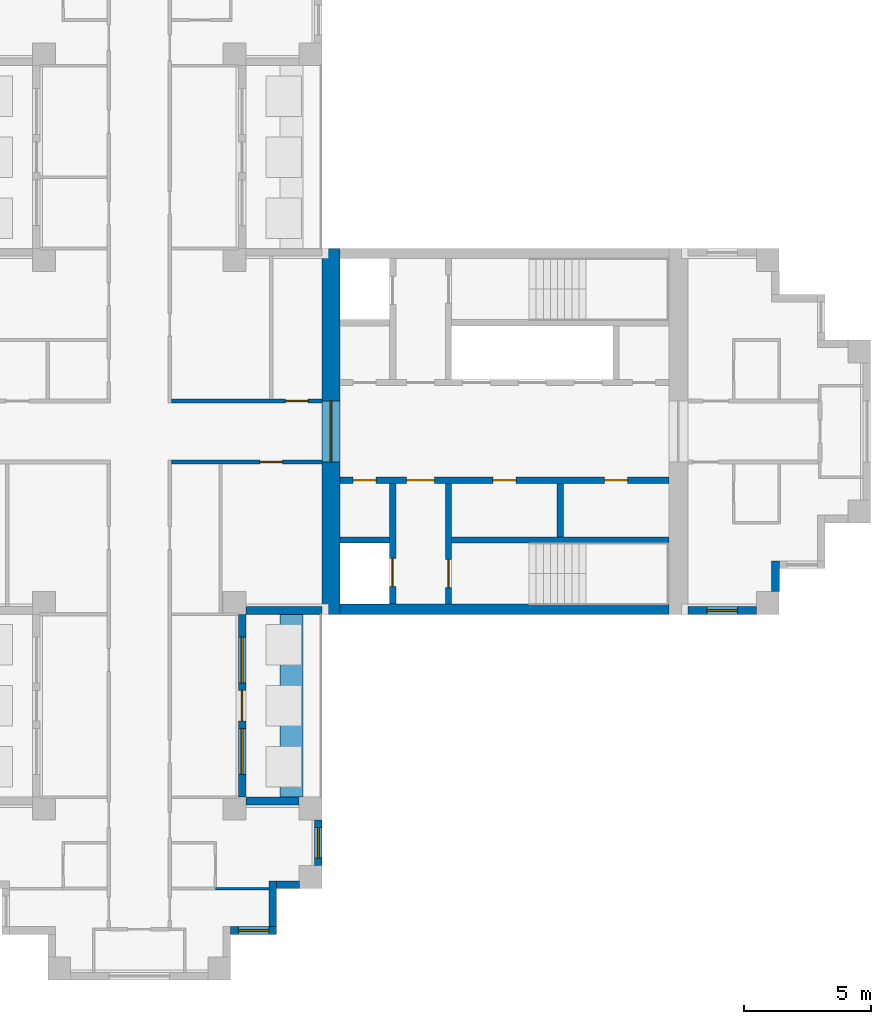
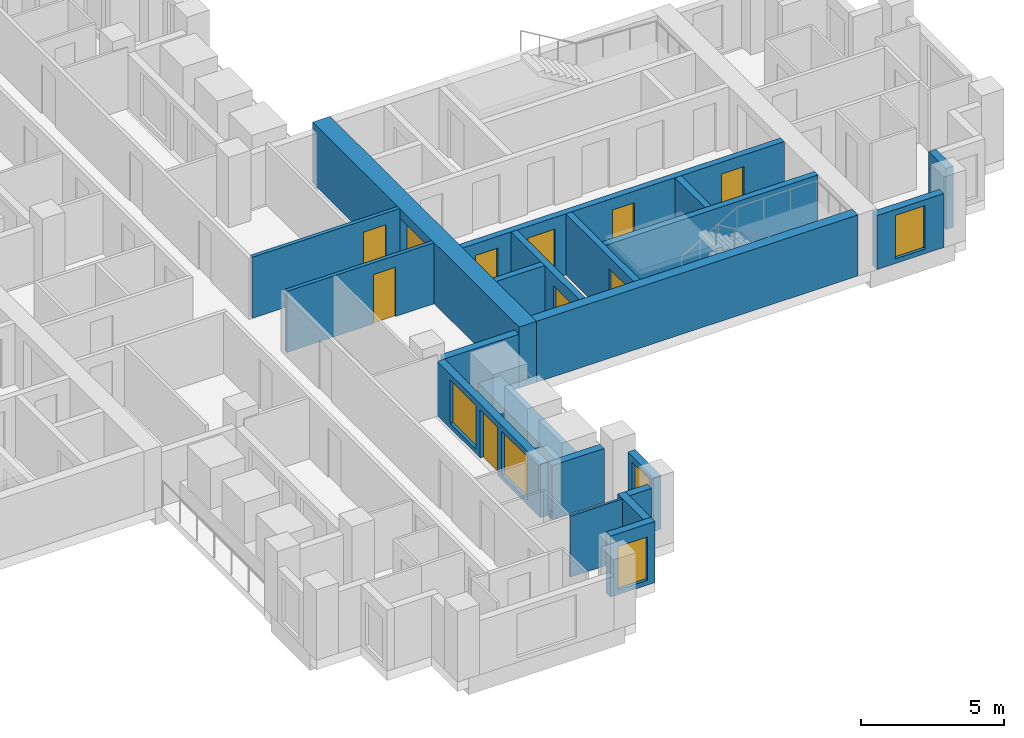
# One storey, part 5 of 10: 21 walls, 10 doors, 5 windows, 15 openings.
"""IFC4 building model written with IfcOpenShell, lengths in metres."""

from ifc_helpers import new_model, si_unit, direction, frame, frame_2d, origin, place, context, subcontext, project, spatial, rectangle, extrude, material, layer, layer_set, type_object, element, fill, save


model = new_model("IFC4")

# Units and contexts
model_context = context("Model", 3, precision=1e-05, world=origin(), true_north=direction((0.0, 1.0)))
body_context = subcontext(model_context, "Body", "Model", "MODEL_VIEW")
ifc_project = project(units=[si_unit("LENGTHUNIT", "METRE"), si_unit("AREAUNIT", "SQUARE_METRE"), si_unit("VOLUMEUNIT", "CUBIC_METRE"), si_unit("PLANEANGLEUNIT", "RADIAN"), si_unit("MASSUNIT", "GRAM", prefix="KILO")], contexts=[model_context])

# Site, building, storey
site_placement = place(None, origin())
site = spatial("IfcSite", under=ifc_project, at=site_placement, CompositionType="ELEMENT")
building_placement = place(site_placement, origin())
building = spatial("IfcBuilding", under=site, at=building_placement, Name="Fustian Cross Tower", CompositionType="ELEMENT")
storey_placement = place(building_placement, frame((0.0, 0.0, 225.89990234375)))
storey = spatial("IfcBuildingStorey", under=building, at=storey_placement, Name="L71", CompositionType="ELEMENT", Elevation=225.89990234375)

# Wall, opening, door
ifc_material_1 = material(Name="Plasterboard on steel stud", Category="steel")
ifc_layer_1 = layer(ifc_material_1, 0.14990234375)
ifc_layer_set_1 = layer_set([ifc_layer_1], Name="Plasterboard on steel stud")
wall_type_1 = type_object("IfcWallType", Name="COMPARTMENT WALL 150 EI 60", PredefinedType="PARTITIONING", material=ifc_layer_set_1)
wall_1_placement = place(storey_placement, frame((1.27490234375, -1.199951171875, 0.0), z_axis=(0.0, 0.0, 1.0), x_axis=(1.0, 0.0, 0.0)))
wall_1 = element("IfcWall", 1, at=wall_1_placement, inside=storey, type_object=wall_type_1, Name="Partition 45", PredefinedType="PARTITIONING", context=body_context, shape_type="SweptSolid", body=[
    extrude(rectangle(XDim=5.925048828125, YDim=0.14990234375, at=frame_2d((2.96240234375, 0.0))), origin(), (0.0, 0.0, 1.0), 2.60009765625),
])
opening_1_placement = place(wall_1_placement, frame((3.47509765625, 0.0, 0.0)))
opening_1 = element("IfcOpeningElement", 2, at=opening_1_placement, cuts=wall_1, Name="Opening D32007", PredefinedType="OPENING", context=body_context, shape_type="SweptSolid", body=[
    extrude(rectangle(XDim=0.89990234375, YDim=2.10009765625, at=frame_2d((0.449951171875, 1.050048828125))), frame((0.0, 0.0849609375, 0.0), z_axis=(0.0, -1.0, 0.0), x_axis=(1.0, 0.0, 0.0)), (0.0, 0.0, 1.0), 0.169921875),
])
ifc_material_2 = material(Name="Timber fire door set", Category="wood")
door_type_1 = type_object("IfcDoorType", Name="FIRE SWING DOOR 900 FD30S", OperationType="SINGLE_SWING_LEFT", PredefinedType="DOOR", material=ifc_material_2)
door_1_placement = place(opening_1_placement, frame((0.89990234375, 0.0, 0.0), z_axis=(0.0, 0.0, 1.0), x_axis=(-1.0, 0.0, 0.0)))
door_1 = element("IfcDoor", 3, at=door_1_placement, inside=storey, type_object=door_type_1, Name="Door D32007", OperationType="SINGLE_SWING_RIGHT", OverallHeight=2.10009765625, OverallWidth=0.89990234375, PredefinedType="DOOR", context=body_context, shape_type="SweptSolid", body=[
    extrude(rectangle(XDim=0.89990234375, YDim=2.10009765625, at=frame_2d((0.449951171875, 1.050048828125))), frame((0.0, 0.02490234375, 0.0), z_axis=(0.0, -1.0, 0.0), x_axis=(1.0, 0.0, 0.0)), (0.0, 0.0, 1.0), 0.050048828125),
])
fill(opening_1, door_1)

wall_2_placement = place(storey_placement, frame((1.27490234375, 1.199951171875, 0.0), z_axis=(0.0, 0.0, 1.0), x_axis=(1.0, 0.0, 0.0)))
wall_2 = element("IfcWall", 4, at=wall_2_placement, inside=storey, type_object=wall_type_1, Name="Partition 47", PredefinedType="PARTITIONING", context=body_context, shape_type="SweptSolid", body=[
    extrude(rectangle(XDim=5.925048828125, YDim=0.14990234375, at=frame_2d((2.96240234375, 0.0))), origin(), (0.0, 0.0, 1.0), 2.60009765625),
])
opening_2_placement = place(wall_2_placement, frame((4.47509765625, 0.0, 0.0)))
opening_2 = element("IfcOpeningElement", 5, at=opening_2_placement, cuts=wall_2, Name="Opening D32002", PredefinedType="OPENING", context=body_context, shape_type="SweptSolid", body=[
    extrude(rectangle(XDim=0.89990234375, YDim=2.10009765625, at=frame_2d((0.449951171875, 1.050048828125))), frame((0.0, 0.0849609375, 0.0), z_axis=(0.0, -1.0, 0.0), x_axis=(1.0, 0.0, 0.0)), (0.0, 0.0, 1.0), 0.169921875),
])
door_2_placement = place(opening_2_placement, origin())
door_2 = element("IfcDoor", 6, at=door_2_placement, inside=storey, type_object=door_type_1, Name="Door D32002", OperationType="SINGLE_SWING_LEFT", OverallHeight=2.10009765625, OverallWidth=0.89990234375, PredefinedType="DOOR", context=body_context, shape_type="SweptSolid", body=[
    extrude(rectangle(XDim=0.89990234375, YDim=2.10009765625, at=frame_2d((0.449951171875, 1.050048828125))), frame((0.0, 0.02490234375, 0.0), z_axis=(0.0, -1.0, 0.0), x_axis=(1.0, 0.0, 0.0)), (0.0, 0.0, 1.0), 0.050048828125),
])
fill(opening_2, door_2)

ifc_material_3 = material(Name="Concrete C50/60", Category="concrete")
ifc_layer_2 = layer(ifc_material_3, 0.699951171875)
ifc_layer_set_2 = layer_set([ifc_layer_2], Name="Concrete C50/60")
wall_type_2 = type_object("IfcWallType", Name="CORE END WALL 700 C50/60", PredefinedType="SHEAR", material=ifc_layer_set_2)
wall_3_placement = place(storey_placement, frame((7.550048828125, -7.199951171875, 0.0), z_axis=(0.0, 0.0, 1.0), x_axis=(0.0, 1.0, 0.0)))
wall_3 = element("IfcWall", 7, at=wall_3_placement, inside=storey, type_object=wall_type_2, Name="Core end wall", PredefinedType="SHEAR", context=body_context, shape_type="SweptSolid", body=[
    extrude(rectangle(XDim=14.39990234375, YDim=0.699951171875, at=frame_2d((7.199951171875, 0.0))), origin(), (0.0, 0.0, 1.0), 2.60009765625),
])
opening_3_placement = place(wall_3_placement, frame((6.0, 0.0, 0.0)))
opening_3 = element("IfcOpeningElement", 8, at=opening_3_placement, cuts=wall_3, Name="Opening CD-27-12", PredefinedType="OPENING", context=body_context, shape_type="SweptSolid", body=[
    extrude(rectangle(XDim=2.39990234375, YDim=2.199951171875, at=frame_2d((1.199951171875, 1.10009765625))), frame((0.0, 0.35986328125, 0.0), z_axis=(0.0, -1.0, 0.0), x_axis=(1.0, 0.0, 0.0)), (0.0, 0.0, 1.0), 0.719970703125),
])
ifc_material_4 = material(Name="Steel", Category="steel")
door_type_2 = type_object("IfcDoorType", Name="FIRE DOOR FD30S DOUBLE 2400X2200", OperationType="DOUBLE_DOOR_DOUBLE_SWING", PredefinedType="DOOR", material=ifc_material_4)
door_3_placement = place(opening_3_placement, frame((2.39990234375, 0.0, 0.0), z_axis=(0.0, 0.0, 1.0), x_axis=(-1.0, 0.0, 0.0)))
door_3 = element("IfcDoor", 9, at=door_3_placement, inside=storey, type_object=door_type_2, Name="Core door CD-27-12", OperationType="DOUBLE_DOOR_DOUBLE_SWING", OverallHeight=2.199951171875, OverallWidth=2.39990234375, PredefinedType="DOOR", context=body_context, shape_type="SweptSolid", body=[
    extrude(rectangle(XDim=2.39990234375, YDim=2.199951171875, at=frame_2d((1.199951171875, 1.10009765625))), frame((0.0, 0.02490234375, 0.0), z_axis=(0.0, -1.0, 0.0), x_axis=(1.0, 0.0, 0.0)), (0.0, 0.0, 1.0), 0.050048828125),
])
fill(opening_3, door_3)

# Wall
ifc_material_5 = material(Name="Concrete C50/60", Category="concrete")
ifc_layer_3 = layer(ifc_material_5, 0.39990234375)
ifc_layer_set_3 = layer_set([ifc_layer_3], Name="Concrete C50/60")
wall_type_3 = type_object("IfcWallType", Name="CORE FACADE WALL 400 C50/60", PredefinedType="SHEAR", material=ifc_layer_set_3)
wall_4_placement = place(storey_placement, frame((7.89990234375, -7.0, 0.0), z_axis=(0.0, 0.0, 1.0), x_axis=(1.0, 0.0, 0.0)))
element("IfcWall", 10, at=wall_4_placement, inside=storey, type_object=wall_type_3, Name="Core facade wall", PredefinedType="SHEAR", context=body_context, shape_type="SweptSolid", body=[
    extrude(rectangle(XDim=12.9501953125, YDim=0.39990234375, at=frame_2d((6.47509765625, 0.0))), origin(), (0.0, 0.0, 1.0), 2.60009765625),
])

# Wall, openings, doors
ifc_material_6 = material(Name="Concrete C50/60", Category="concrete")
ifc_layer_4 = layer(ifc_material_6, 0.25)
ifc_layer_set_4 = layer_set([ifc_layer_4], Name="Concrete C50/60")
wall_type_4 = type_object("IfcWallType", Name="CORE LOBBY WALL 250 C50/60", PredefinedType="SHEAR", material=ifc_layer_set_4)
wall_5_placement = place(storey_placement, frame((7.89990234375, -1.925048828125, 0.0), z_axis=(0.0, 0.0, 1.0), x_axis=(1.0, 0.0, 0.0)))
wall_5 = element("IfcWall", 11, at=wall_5_placement, inside=storey, type_object=wall_type_4, Name="Core lobby wall", PredefinedType="SHEAR", context=body_context, shape_type="SweptSolid", body=[
    extrude(rectangle(XDim=12.9501953125, YDim=0.25, at=frame_2d((6.47509765625, 0.0))), origin(), (0.0, 0.0, 1.0), 2.60009765625),
])
opening_4_placement = place(wall_5_placement, frame((0.52490234375, 0.0, 0.0)))
opening_4 = element("IfcOpeningElement", 12, at=opening_4_placement, cuts=wall_5, Name="Opening CD-27-09", PredefinedType="OPENING", context=body_context, shape_type="SweptSolid", body=[
    extrude(rectangle(XDim=0.89990234375, YDim=2.10009765625, at=frame_2d((0.449951171875, 1.050048828125))), frame((0.0, 0.135009765625, 0.0), z_axis=(0.0, -1.0, 0.0), x_axis=(1.0, 0.0, 0.0)), (0.0, 0.0, 1.0), 0.27001953125),
])
opening_5_placement = place(wall_5_placement, frame((2.625, 0.0, 0.0)))
opening_5 = element("IfcOpeningElement", 13, at=opening_5_placement, cuts=wall_5, Name="Opening CD-27-11", PredefinedType="OPENING", context=body_context, shape_type="SweptSolid", body=[
    extrude(rectangle(XDim=1.10009765625, YDim=2.10009765625, at=frame_2d((0.550048828125, 1.050048828125))), frame((0.0, 0.135009765625, 0.0), z_axis=(0.0, -1.0, 0.0), x_axis=(1.0, 0.0, 0.0)), (0.0, 0.0, 1.0), 0.27001953125),
])
opening_6_placement = place(wall_5_placement, frame((6.02490234375, 0.0, 0.0)))
opening_6 = element("IfcOpeningElement", 14, at=opening_6_placement, cuts=wall_5, Name="Opening CD-27-15", PredefinedType="OPENING", context=body_context, shape_type="SweptSolid", body=[
    extrude(rectangle(XDim=0.89990234375, YDim=2.10009765625, at=frame_2d((0.449951171875, 1.050048828125))), frame((0.0, 0.135009765625, 0.0), z_axis=(0.0, -1.0, 0.0), x_axis=(1.0, 0.0, 0.0)), (0.0, 0.0, 1.0), 0.27001953125),
])
opening_7_placement = place(wall_5_placement, frame((10.425048828125, 0.0, 0.0)))
opening_7 = element("IfcOpeningElement", 15, at=opening_7_placement, cuts=wall_5, Name="Opening CD-27-16", PredefinedType="OPENING", context=body_context, shape_type="SweptSolid", body=[
    extrude(rectangle(XDim=0.89990234375, YDim=2.10009765625, at=frame_2d((0.449951171875, 1.050048828125))), frame((0.0, 0.135009765625, 0.0), z_axis=(0.0, -1.0, 0.0), x_axis=(1.0, 0.0, 0.0)), (0.0, 0.0, 1.0), 0.27001953125),
])
ifc_material_7 = material(Name="Steel", Category="steel")
door_type_3 = type_object("IfcDoorType", Name="FIRE DOOR FD30S 1100X2100", OperationType="SINGLE_SWING_LEFT", PredefinedType="DOOR", material=ifc_material_7)
door_4_placement = place(opening_5_placement, frame((1.10009765625, 0.0, 0.0), z_axis=(0.0, 0.0, 1.0), x_axis=(-1.0, 0.0, 0.0)))
door_4 = element("IfcDoor", 16, at=door_4_placement, inside=storey, type_object=door_type_3, Name="Core door CD-27-11", OperationType="SINGLE_SWING_RIGHT", OverallHeight=2.10009765625, OverallWidth=1.10009765625, PredefinedType="DOOR", context=body_context, shape_type="SweptSolid", body=[
    extrude(rectangle(XDim=1.10009765625, YDim=2.10009765625, at=frame_2d((0.550048828125, 1.050048828125))), frame((0.0, 0.02490234375, 0.0), z_axis=(0.0, -1.0, 0.0), x_axis=(1.0, 0.0, 0.0)), (0.0, 0.0, 1.0), 0.050048828125),
])
fill(opening_5, door_4)
ifc_material_8 = material(Name="Steel", Category="steel")
door_type_4 = type_object("IfcDoorType", Name="FIRE DOOR FD30S 900X2100", OperationType="SINGLE_SWING_LEFT", PredefinedType="DOOR", material=ifc_material_8)
door_5_placement = place(opening_4_placement, frame((0.89990234375, 0.0, 0.0), z_axis=(0.0, 0.0, 1.0), x_axis=(-1.0, 0.0, 0.0)))
door_5 = element("IfcDoor", 17, at=door_5_placement, inside=storey, type_object=door_type_4, Name="Core door CD-27-09", OperationType="SINGLE_SWING_RIGHT", OverallHeight=2.10009765625, OverallWidth=0.89990234375, PredefinedType="DOOR", context=body_context, shape_type="SweptSolid", body=[
    extrude(rectangle(XDim=0.89990234375, YDim=2.10009765625, at=frame_2d((0.449951171875, 1.050048828125))), frame((0.0, 0.02490234375, 0.0), z_axis=(0.0, -1.0, 0.0), x_axis=(1.0, 0.0, 0.0)), (0.0, 0.0, 1.0), 0.050048828125),
])
fill(opening_4, door_5)
door_6_placement = place(opening_6_placement, frame((0.89990234375, 0.0, 0.0), z_axis=(0.0, 0.0, 1.0), x_axis=(-1.0, 0.0, 0.0)))
door_6 = element("IfcDoor", 18, at=door_6_placement, inside=storey, type_object=door_type_4, Name="Core door CD-27-15", OperationType="SINGLE_SWING_LEFT", OverallHeight=2.10009765625, OverallWidth=0.89990234375, PredefinedType="DOOR", context=body_context, shape_type="SweptSolid", body=[
    extrude(rectangle(XDim=0.89990234375, YDim=2.10009765625, at=frame_2d((0.449951171875, 1.050048828125))), frame((0.0, 0.02490234375, 0.0), z_axis=(0.0, -1.0, 0.0), x_axis=(1.0, 0.0, 0.0)), (0.0, 0.0, 1.0), 0.050048828125),
])
fill(opening_6, door_6)
door_7_placement = place(opening_7_placement, frame((0.89990234375, 0.0, 0.0), z_axis=(0.0, 0.0, 1.0), x_axis=(-1.0, 0.0, 0.0)))
door_7 = element("IfcDoor", 19, at=door_7_placement, inside=storey, type_object=door_type_4, Name="Core door CD-27-16", OperationType="SINGLE_SWING_LEFT", OverallHeight=2.10009765625, OverallWidth=0.89990234375, PredefinedType="DOOR", context=body_context, shape_type="SweptSolid", body=[
    extrude(rectangle(XDim=0.89990234375, YDim=2.10009765625, at=frame_2d((0.449951171875, 1.050048828125))), frame((0.0, 0.02490234375, 0.0), z_axis=(0.0, -1.0, 0.0), x_axis=(1.0, 0.0, 0.0)), (0.0, 0.0, 1.0), 0.050048828125),
])
fill(opening_7, door_7)

# Walls
ifc_material_9 = material(Name="Concrete C50/60", Category="concrete")
ifc_layer_5 = layer(ifc_material_9, 0.25)
ifc_layer_set_5 = layer_set([ifc_layer_5], Name="Concrete C50/60")
wall_type_5 = type_object("IfcWallType", Name="CORE SHAFT WALL 250 C50/60", PredefinedType="SHEAR", material=ifc_layer_set_5)
wall_6_placement = place(storey_placement, frame((7.89990234375, -4.27490234375, 0.0), z_axis=(0.0, 0.0, 1.0), x_axis=(1.0, 0.0, 0.0)))
element("IfcWall", 20, at=wall_6_placement, inside=storey, type_object=wall_type_5, Name="Core shaft wall", PredefinedType="SHEAR", context=body_context, shape_type="SweptSolid", body=[
    extrude(rectangle(XDim=1.9501953125, YDim=0.25, at=frame_2d((0.97509765625, 0.0))), origin(), (0.0, 0.0, 1.0), 2.60009765625),
])
wall_7_placement = place(storey_placement, frame((12.300048828125, -4.27490234375, 0.0), z_axis=(0.0, 0.0, 1.0), x_axis=(1.0, 0.0, 0.0)))
element("IfcWall", 21, at=wall_7_placement, inside=storey, type_object=wall_type_5, Name="Core shaft wall", PredefinedType="SHEAR", context=body_context, shape_type="SweptSolid", body=[
    extrude(rectangle(XDim=8.550048828125, YDim=0.25, at=frame_2d((4.27490234375, 0.0))), origin(), (0.0, 0.0, 1.0), 2.60009765625),
])

# Wall, opening, door
wall_8_placement = place(storey_placement, frame((9.97509765625, -2.050048828125, 0.0), z_axis=(0.0, 0.0, 1.0), x_axis=(0.0, -1.0, 0.0)))
wall_8 = element("IfcWall", 22, at=wall_8_placement, inside=storey, type_object=wall_type_5, Name="Core shaft wall", PredefinedType="SHEAR", context=body_context, shape_type="SweptSolid", body=[
    extrude(rectangle(XDim=4.75, YDim=0.25, at=frame_2d((2.375, 0.0))), origin(), (0.0, 0.0, 1.0), 2.60009765625),
])
opening_8_placement = place(wall_8_placement, frame((2.949951171875, 0.0, 0.0)))
opening_8 = element("IfcOpeningElement", 23, at=opening_8_placement, cuts=wall_8, Name="Opening LD", PredefinedType="OPENING", context=body_context, shape_type="SweptSolid", body=[
    extrude(rectangle(XDim=1.10009765625, YDim=2.10009765625, at=frame_2d((0.550048828125, 1.050048828125))), frame((0.0, 0.135009765625, 0.0), z_axis=(0.0, -1.0, 0.0), x_axis=(1.0, 0.0, 0.0)), (0.0, 0.0, 1.0), 0.27001953125),
])
ifc_material_10 = material(Name="Stainless steel", Category="steel")
door_type_5 = type_object("IfcDoorType", Name="LIFT LANDING DOOR 1100X2100", OperationType="SLIDING_TO_LEFT", PredefinedType="DOOR", material=ifc_material_10)
door_8_placement = place(opening_8_placement, origin())
door_8 = element("IfcDoor", 24, at=door_8_placement, inside=storey, type_object=door_type_5, Name="Landing door SV1", OperationType="SLIDING_TO_LEFT", OverallHeight=2.10009765625, OverallWidth=1.10009765625, PredefinedType="DOOR", context=body_context, shape_type="SweptSolid", body=[
    extrude(rectangle(XDim=1.10009765625, YDim=2.10009765625, at=frame_2d((0.550048828125, 1.050048828125))), frame((0.0, 0.02490234375, 0.0), z_axis=(0.0, -1.0, 0.0), x_axis=(1.0, 0.0, 0.0)), (0.0, 0.0, 1.0), 0.050048828125),
])
fill(opening_8, door_8)

wall_9_placement = place(storey_placement, frame((12.175048828125, -2.050048828125, 0.0), z_axis=(0.0, 0.0, 1.0), x_axis=(0.0, -1.0, 0.0)))
wall_9 = element("IfcWall", 25, at=wall_9_placement, inside=storey, type_object=wall_type_5, Name="Core shaft wall", PredefinedType="SHEAR", context=body_context, shape_type="SweptSolid", body=[
    extrude(rectangle(XDim=4.75, YDim=0.25, at=frame_2d((2.375, 0.0))), origin(), (0.0, 0.0, 1.0), 2.60009765625),
])
opening_9_placement = place(wall_9_placement, frame((3.0, 0.0, 0.0)))
opening_9 = element("IfcOpeningElement", 26, at=opening_9_placement, cuts=wall_9, Name="Opening CD-27-07", PredefinedType="OPENING", context=body_context, shape_type="SweptSolid", body=[
    extrude(rectangle(XDim=1.10009765625, YDim=2.10009765625, at=frame_2d((0.550048828125, 1.050048828125))), frame((0.0, 0.135009765625, 0.0), z_axis=(0.0, -1.0, 0.0), x_axis=(1.0, 0.0, 0.0)), (0.0, 0.0, 1.0), 0.27001953125),
])
ifc_material_11 = material(Name="Steel", Category="steel")
door_type_6 = type_object("IfcDoorType", Name="FIRE DOOR FD60S 1100X2100", OperationType="SINGLE_SWING_LEFT", PredefinedType="DOOR", material=ifc_material_11)
door_9_placement = place(opening_9_placement, origin())
door_9 = element("IfcDoor", 27, at=door_9_placement, inside=storey, type_object=door_type_6, Name="Core door CD-27-07", OperationType="SINGLE_SWING_LEFT", OverallHeight=2.10009765625, OverallWidth=1.10009765625, PredefinedType="DOOR", context=body_context, shape_type="SweptSolid", body=[
    extrude(rectangle(XDim=1.10009765625, YDim=2.10009765625, at=frame_2d((0.550048828125, 1.050048828125))), frame((0.0, 0.02490234375, 0.0), z_axis=(0.0, -1.0, 0.0), x_axis=(1.0, 0.0, 0.0)), (0.0, 0.0, 1.0), 0.050048828125),
])
fill(opening_9, door_9)

# Walls
ifc_material_12 = material(Name="Plasterboard on steel stud", Category="steel")
ifc_layer_6 = layer(ifc_material_12, 0.10009765625)
ifc_layer_set_6 = layer_set([ifc_layer_6], Name="Plasterboard on steel stud")
wall_type_6 = type_object("IfcWallType", Name="PARTITION 100 STUD", PredefinedType="PARTITIONING", material=ifc_layer_set_6)
wall_10_placement = place(storey_placement, frame((3.0, -18.0, 0.0), z_axis=(0.0, 0.0, 1.0), x_axis=(1.0, 0.0, 0.0)))
element("IfcWall", 28, at=wall_10_placement, inside=storey, type_object=wall_type_6, Name="Partition 56", PredefinedType="PARTITIONING", context=body_context, shape_type="SweptSolid", body=[
    extrude(rectangle(XDim=2.10009765625, YDim=0.10009765625, at=frame_2d((1.050048828125, 0.0))), origin(), (0.0, 0.0, 1.0), 2.60009765625),
])
ifc_material_13 = material(Name="Concrete C40/50", Category="concrete")
ifc_layer_7 = layer(ifc_material_13, 0.89990234375)
ifc_layer_set_7 = layer_set([ifc_layer_7], Name="Concrete C40/50")
wall_type_7 = type_object("IfcWallType", Name="PK1 PLANTER 900", PredefinedType="PARAPET", material=ifc_layer_set_7)
wall_11_placement = place(storey_placement, frame((6.0, -14.39990234375, 0.0), z_axis=(0.0, 0.0, 1.0), x_axis=(0.0, 1.0, 0.0)))
element("IfcWall", 29, at=wall_11_placement, inside=storey, type_object=wall_type_7, Name="PLANTER", PredefinedType="PARAPET", context=body_context, shape_type="SweptSolid", body=[
    extrude(rectangle(XDim=7.199951171875, YDim=0.89990234375, at=frame_2d((3.60009765625, 0.0))), origin(), (0.0, 0.0, 1.0), 0.800048828125),
])
ifc_material_14 = material(Name="Concrete C40/50", Category="concrete")
ifc_layer_8 = layer(ifc_material_14, 0.25)
ifc_layer_set_8 = layer_set([ifc_layer_8], Name="Concrete C40/50")
wall_type_8 = type_object("IfcWallType", Name="SHAFT PARTITION WALL 250 C40/50", PredefinedType="PARTITIONING", material=ifc_layer_set_8)
wall_12_placement = place(storey_placement, frame((16.574951171875, -2.050048828125, 0.0), z_axis=(0.0, 0.0, 1.0), x_axis=(0.0, -1.0, 0.0)))
element("IfcWall", 30, at=wall_12_placement, inside=storey, type_object=wall_type_8, Name="Core shaft wall", PredefinedType="PARTITIONING", context=body_context, shape_type="SweptSolid", body=[
    extrude(rectangle(XDim=2.099853515625, YDim=0.25, at=frame_2d((1.0498046875, 0.0))), origin(), (0.0, 0.0, 1.0), 2.60009765625),
])

# Wall, opening, window
ifc_material_15 = material(Name="Dark aluminium cladding on insulated backing wall", Category="aluminium")
ifc_layer_9 = layer(ifc_material_15, 0.300048828125)
ifc_layer_set_9 = layer_set([ifc_layer_9], Name="Dark aluminium cladding on insulated backing wall")
wall_type_9 = type_object("IfcWallType", Name="XW1 EXTERNAL WALL 300", PredefinedType="SOLIDWALL", material=ifc_layer_set_9)
wall_13_placement = place(storey_placement, frame((21.60009765625, -7.050048828125, 0.0), z_axis=(0.0, 0.0, 1.0), x_axis=(1.0, 0.0, 0.0)))
wall_13 = element("IfcWall", 31, at=wall_13_placement, inside=storey, type_object=wall_type_9, Name="External wall", PredefinedType="SOLIDWALL", context=body_context, shape_type="SweptSolid", body=[
    extrude(rectangle(XDim=2.699951171875, YDim=0.300048828125, at=frame_2d((1.35009765625, 0.0))), origin(), (0.0, 0.0, 1.0), 2.300048828125),
])
opening_10_placement = place(wall_13_placement, frame((0.75, 0.0, 0.199951171875)))
opening_10 = element("IfcOpeningElement", 32, at=opening_10_placement, cuts=wall_13, Name="Opening WN3", PredefinedType="OPENING", context=body_context, shape_type="SweptSolid", body=[
    extrude(rectangle(XDim=1.199951171875, YDim=1.85009765625, at=frame_2d((0.60009765625, 0.925048828125))), frame((0.0, 0.159912109375, 0.0), z_axis=(0.0, -1.0, 0.0), x_axis=(1.0, 0.0, 0.0)), (0.0, 0.0, 1.0), 0.320068359375),
])
ifc_material_16 = material(Name="Dark anodised aluminium and double glazing", Category="aluminium")
window_type_1 = type_object("IfcWindowType", Name="WN3 WINDOW 1200X1850", PartitioningType="SINGLE_PANEL", PredefinedType="WINDOW", material=ifc_material_16)
window_1_placement = place(opening_10_placement, origin())
window_1 = element("IfcWindow", 33, at=window_1_placement, inside=storey, type_object=window_type_1, Name="Window", OverallHeight=1.85009765625, OverallWidth=1.199951171875, PartitioningType="SINGLE_PANEL", PredefinedType="WINDOW", context=body_context, shape_type="SweptSolid", body=[
    extrude(rectangle(XDim=1.199951171875, YDim=1.85009765625, at=frame_2d((0.60009765625, 0.925048828125))), frame((0.0, 0.030029296875, 0.0), z_axis=(0.0, -1.0, 0.0), x_axis=(1.0, 0.0, 0.0)), (0.0, 0.0, 1.0), 0.06005859375),
])
fill(opening_10, window_1)

# Wall
wall_14_placement = place(storey_placement, frame((25.050048828125, -6.300048828125, 0.0), z_axis=(0.0, 0.0, 1.0), x_axis=(0.0, 1.0, 0.0)))
element("IfcWall", 34, at=wall_14_placement, inside=storey, type_object=wall_type_9, Name="External wall", PredefinedType="SOLIDWALL", context=body_context, shape_type="SweptSolid", body=[
    extrude(rectangle(XDim=1.199951171875, YDim=0.300048828125, at=frame_2d((0.60009765625, 0.0))), origin(), (0.0, 0.0, 1.0), 2.60009765625),
])

# Wall, opening, window
wall_15_placement = place(storey_placement, frame((3.60009765625, -19.64990234375, 0.0), z_axis=(0.0, 0.0, 1.0), x_axis=(1.0, 0.0, 0.0)))
wall_15 = element("IfcWall", 35, at=wall_15_placement, inside=storey, type_object=wall_type_9, Name="External wall", PredefinedType="SOLIDWALL", context=body_context, shape_type="SweptSolid", body=[
    extrude(rectangle(XDim=1.7998046875, YDim=0.300048828125, at=frame_2d((0.89990234375, 0.0))), origin(), (0.0, 0.0, 1.0), 2.60009765625),
])
opening_11_placement = place(wall_15_placement, frame((0.300048828125, 0.0, 0.199951171875)))
opening_11 = element("IfcOpeningElement", 36, at=opening_11_placement, cuts=wall_15, Name="Opening WN3", PredefinedType="OPENING", context=body_context, shape_type="SweptSolid", body=[
    extrude(rectangle(XDim=1.199951171875, YDim=1.85009765625, at=frame_2d((0.60009765625, 0.925048828125))), frame((0.0, 0.159912109375, 0.0), z_axis=(0.0, -1.0, 0.0), x_axis=(1.0, 0.0, 0.0)), (0.0, 0.0, 1.0), 0.320068359375),
])
window_2_placement = place(opening_11_placement, origin())
window_2 = element("IfcWindow", 37, at=window_2_placement, inside=storey, type_object=window_type_1, Name="Window", OverallHeight=1.85009765625, OverallWidth=1.199951171875, PartitioningType="SINGLE_PANEL", PredefinedType="WINDOW", context=body_context, shape_type="SweptSolid", body=[
    extrude(rectangle(XDim=1.199951171875, YDim=1.85009765625, at=frame_2d((0.60009765625, 0.925048828125))), frame((0.0, 0.030029296875, 0.0), z_axis=(0.0, -1.0, 0.0), x_axis=(1.0, 0.0, 0.0)), (0.0, 0.0, 1.0), 0.06005859375),
])
fill(opening_11, window_2)

# Walls
wall_16_placement = place(storey_placement, frame((5.25, -19.5, 0.0), z_axis=(0.0, 0.0, 1.0), x_axis=(0.0, 1.0, 0.0)))
element("IfcWall", 38, at=wall_16_placement, inside=storey, type_object=wall_type_9, Name="External wall", PredefinedType="SOLIDWALL", context=body_context, shape_type="SweptSolid", body=[
    extrude(rectangle(XDim=1.800048828125, YDim=0.300048828125, at=frame_2d((0.89990234375, 0.0))), origin(), (0.0, 0.0, 1.0), 2.60009765625),
])
wall_17_placement = place(storey_placement, frame((5.39990234375, -17.85009765625, 0.0), z_axis=(0.0, 0.0, 1.0), x_axis=(1.0, 0.0, 0.0)))
element("IfcWall", 39, at=wall_17_placement, inside=storey, type_object=wall_type_9, Name="External wall", PredefinedType="SOLIDWALL", context=body_context, shape_type="SweptSolid", body=[
    extrude(rectangle(XDim=0.900146484375, YDim=0.300048828125, at=frame_2d((0.4501953125, 0.0))), origin(), (0.0, 0.0, 1.0), 2.60009765625),
])

# Wall, opening, window
wall_18_placement = place(storey_placement, frame((7.050048828125, -17.10009765625, 0.0), z_axis=(0.0, 0.0, 1.0), x_axis=(0.0, 1.0, 0.0)))
wall_18 = element("IfcWall", 40, at=wall_18_placement, inside=storey, type_object=wall_type_9, Name="External wall", PredefinedType="SOLIDWALL", context=body_context, shape_type="SweptSolid", body=[
    extrude(rectangle(XDim=1.800048828125, YDim=0.300048828125, at=frame_2d((0.89990234375, 0.0))), origin(), (0.0, 0.0, 1.0), 2.300048828125),
])
opening_12_placement = place(wall_18_placement, frame((0.300048828125, 0.0, 0.199951171875)))
opening_12 = element("IfcOpeningElement", 41, at=opening_12_placement, cuts=wall_18, Name="Opening WN3", PredefinedType="OPENING", context=body_context, shape_type="SweptSolid", body=[
    extrude(rectangle(XDim=1.199951171875, YDim=1.85009765625, at=frame_2d((0.60009765625, 0.925048828125))), frame((0.0, 0.159912109375, 0.0), z_axis=(0.0, -1.0, 0.0), x_axis=(1.0, 0.0, 0.0)), (0.0, 0.0, 1.0), 0.320068359375),
])
window_3_placement = place(opening_12_placement, origin())
window_3 = element("IfcWindow", 42, at=window_3_placement, inside=storey, type_object=window_type_1, Name="Window", OverallHeight=1.85009765625, OverallWidth=1.199951171875, PartitioningType="SINGLE_PANEL", PredefinedType="WINDOW", context=body_context, shape_type="SweptSolid", body=[
    extrude(rectangle(XDim=1.199951171875, YDim=1.85009765625, at=frame_2d((0.60009765625, 0.925048828125))), frame((0.0, 0.030029296875, 0.0), z_axis=(0.0, -1.0, 0.0), x_axis=(1.0, 0.0, 0.0)), (0.0, 0.0, 1.0), 0.06005859375),
])
fill(opening_12, window_3)

# Wall
wall_19_placement = place(storey_placement, frame((6.300048828125, -14.550048828125, 0.0), z_axis=(0.0, 0.0, 1.0), x_axis=(-1.0, 0.0, 0.0)))
element("IfcWall", 43, at=wall_19_placement, inside=storey, type_object=wall_type_9, Name="External wall", PredefinedType="SOLIDWALL", context=body_context, shape_type="SweptSolid", body=[
    extrude(rectangle(XDim=2.10009765625, YDim=0.300048828125, at=frame_2d((1.050048828125, 0.0))), origin(), (0.0, 0.0, 1.0), 2.300048828125),
])

# Wall, openings, door, windows
wall_20_placement = place(storey_placement, frame((4.050048828125, -14.39990234375, 0.0), z_axis=(0.0, 0.0, 1.0), x_axis=(0.0, 1.0, 0.0)))
wall_20 = element("IfcWall", 44, at=wall_20_placement, inside=storey, type_object=wall_type_9, Name="External wall", PredefinedType="SOLIDWALL", context=body_context, shape_type="SweptSolid", body=[
    extrude(rectangle(XDim=7.199951171875, YDim=0.300048828125, at=frame_2d((3.60009765625, 0.0))), origin(), (0.0, 0.0, 1.0), 2.300048828125),
])
opening_13_placement = place(wall_20_placement, frame((3.0, 0.0, 0.0)))
opening_13 = element("IfcOpeningElement", 45, at=opening_13_placement, cuts=wall_20, Name="Opening XD3", PredefinedType="OPENING", context=body_context, shape_type="SweptSolid", body=[
    extrude(rectangle(XDim=1.199951171875, YDim=2.050048828125, at=frame_2d((0.60009765625, 1.02490234375))), frame((0.0, 0.159912109375, 0.0), z_axis=(0.0, -1.0, 0.0), x_axis=(1.0, 0.0, 0.0)), (0.0, 0.0, 1.0), 0.320068359375),
])
opening_14_placement = place(wall_20_placement, frame((0.89990234375, 0.0, 0.199951171875)))
opening_14 = element("IfcOpeningElement", 46, at=opening_14_placement, cuts=wall_20, Name="Opening WN2", PredefinedType="OPENING", context=body_context, shape_type="SweptSolid", body=[
    extrude(rectangle(XDim=1.800048828125, YDim=1.85009765625, at=frame_2d((0.89990234375, 0.925048828125))), frame((0.0, 0.159912109375, 0.0), z_axis=(0.0, -1.0, 0.0), x_axis=(1.0, 0.0, 0.0)), (0.0, 0.0, 1.0), 0.320068359375),
])
opening_15_placement = place(wall_20_placement, frame((4.5, 0.0, 0.199951171875)))
opening_15 = element("IfcOpeningElement", 47, at=opening_15_placement, cuts=wall_20, Name="Opening WN2", PredefinedType="OPENING", context=body_context, shape_type="SweptSolid", body=[
    extrude(rectangle(XDim=1.800048828125, YDim=1.85009765625, at=frame_2d((0.89990234375, 0.925048828125))), frame((0.0, 0.159912109375, 0.0), z_axis=(0.0, -1.0, 0.0), x_axis=(1.0, 0.0, 0.0)), (0.0, 0.0, 1.0), 0.320068359375),
])
ifc_material_17 = material(Name="Dark anodised aluminium and double glazing", Category="aluminium")
door_type_7 = type_object("IfcDoorType", Name="ED1 BALCONY DOOR 1200X2050", OperationType="SINGLE_SWING_LEFT", PredefinedType="DOOR", material=ifc_material_17)
door_10_placement = place(opening_13_placement, origin())
door_10 = element("IfcDoor", 48, at=door_10_placement, inside=storey, type_object=door_type_7, Name="Balcony door", OperationType="SINGLE_SWING_LEFT", OverallHeight=2.050048828125, OverallWidth=1.199951171875, PredefinedType="DOOR", context=body_context, shape_type="SweptSolid", body=[
    extrude(rectangle(XDim=1.199951171875, YDim=2.050048828125, at=frame_2d((0.60009765625, 1.02490234375))), frame((0.0, 0.02490234375, 0.0), z_axis=(0.0, -1.0, 0.0), x_axis=(1.0, 0.0, 0.0)), (0.0, 0.0, 1.0), 0.050048828125),
])
fill(opening_13, door_10)
ifc_material_18 = material(Name="Dark anodised aluminium and double glazing", Category="aluminium")
window_type_2 = type_object("IfcWindowType", Name="WN2 WINDOW 1800X1850", PartitioningType="SINGLE_PANEL", PredefinedType="WINDOW", material=ifc_material_18)
window_4_placement = place(opening_14_placement, origin())
window_4 = element("IfcWindow", 49, at=window_4_placement, inside=storey, type_object=window_type_2, Name="Window", OverallHeight=1.85009765625, OverallWidth=1.800048828125, PartitioningType="SINGLE_PANEL", PredefinedType="WINDOW", context=body_context, shape_type="SweptSolid", body=[
    extrude(rectangle(XDim=1.800048828125, YDim=1.85009765625, at=frame_2d((0.89990234375, 0.925048828125))), frame((0.0, 0.030029296875, 0.0), z_axis=(0.0, -1.0, 0.0), x_axis=(1.0, 0.0, 0.0)), (0.0, 0.0, 1.0), 0.06005859375),
])
fill(opening_14, window_4)
window_5_placement = place(opening_15_placement, origin())
window_5 = element("IfcWindow", 50, at=window_5_placement, inside=storey, type_object=window_type_2, Name="Window", OverallHeight=1.85009765625, OverallWidth=1.800048828125, PartitioningType="SINGLE_PANEL", PredefinedType="WINDOW", context=body_context, shape_type="SweptSolid", body=[
    extrude(rectangle(XDim=1.800048828125, YDim=1.85009765625, at=frame_2d((0.89990234375, 0.925048828125))), frame((0.0, 0.030029296875, 0.0), z_axis=(0.0, -1.0, 0.0), x_axis=(1.0, 0.0, 0.0)), (0.0, 0.0, 1.0), 0.06005859375),
])
fill(opening_15, window_5)

# Wall
wall_21_placement = place(storey_placement, frame((4.199951171875, -7.050048828125, 0.0), z_axis=(0.0, 0.0, 1.0), x_axis=(1.0, 0.0, 0.0)))
element("IfcWall", 51, at=wall_21_placement, inside=storey, type_object=wall_type_9, Name="External wall", PredefinedType="SOLIDWALL", context=body_context, shape_type="SweptSolid", body=[
    extrude(rectangle(XDim=3.0, YDim=0.300048828125, at=frame_2d((1.5, 0.0))), origin(), (0.0, 0.0, 1.0), 2.300048828125),
])

save(model, "model.ifc")
